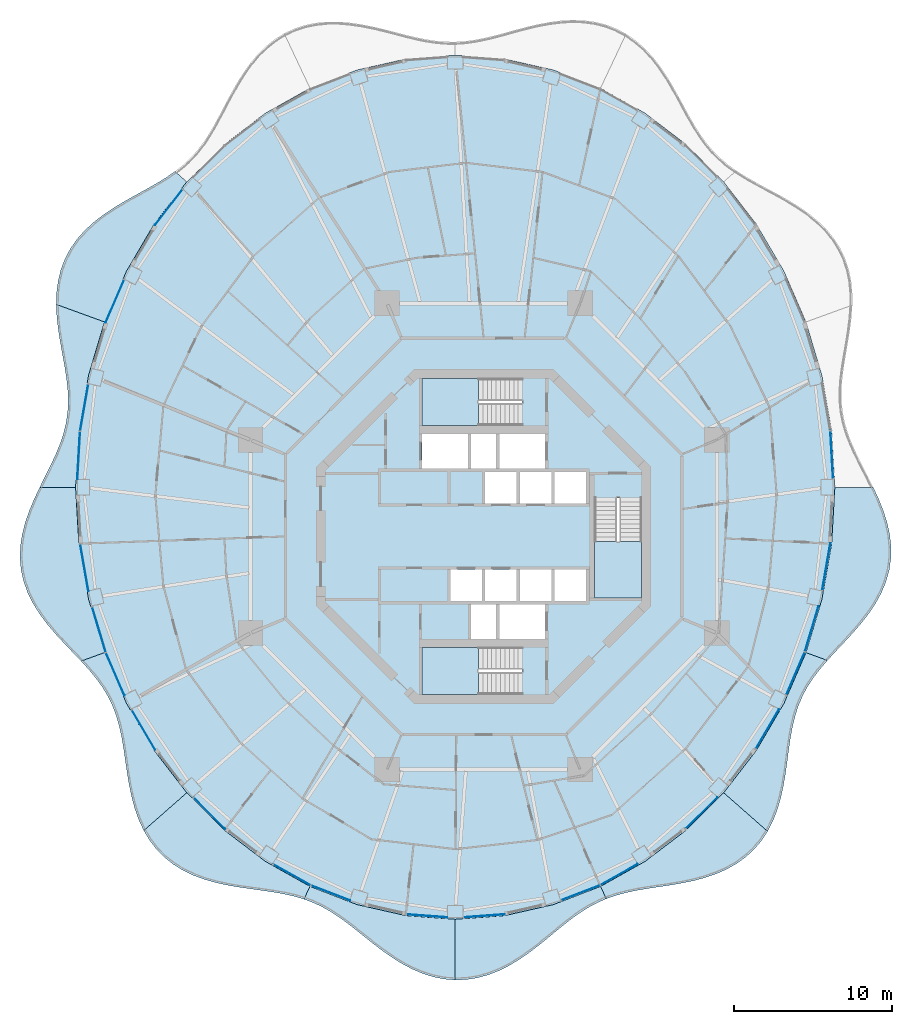
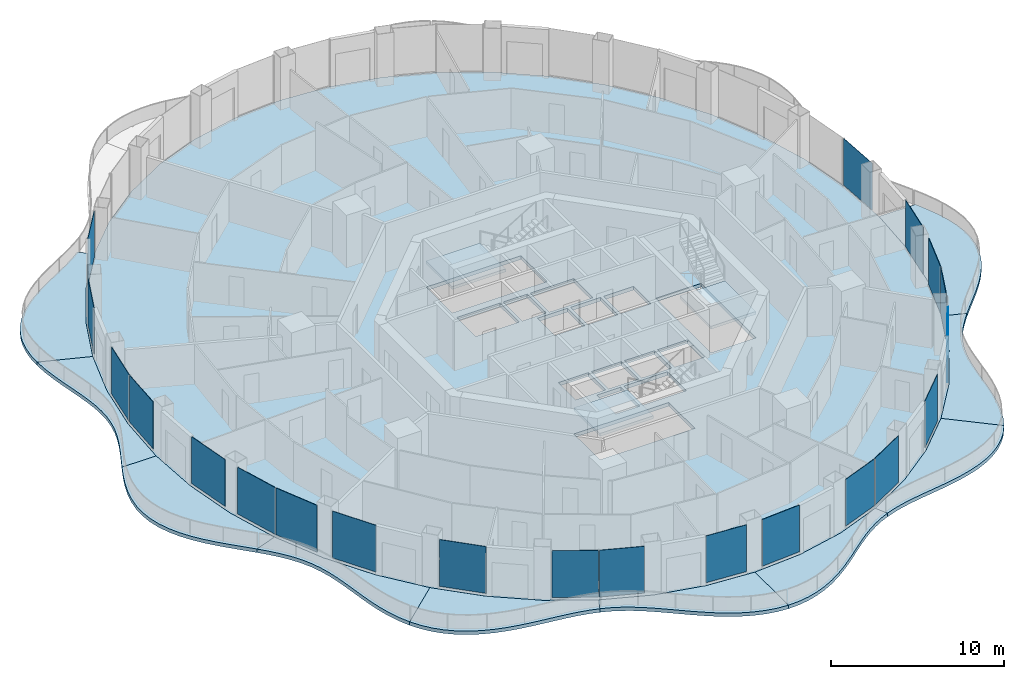
# One storey, part 8 of 18: 21 plates, 14 slabs, 24 elements without a shape of their own.
"""IFC4 building model written with IfcOpenShell, lengths in metres."""

from ifc_helpers import new_model, si_unit, direction, frame, origin, origin_2d, place, context, subcontext, project, spatial, polyline, rectangle, outline, extrude, material, layer, layer_set, type_object, element, aggregate, save


model = new_model("IFC4")

# Units and contexts
model_context = context("Model", 3, precision=1e-05, world=origin(), true_north=direction((0.0, 1.0)))
body_context = subcontext(model_context, "Body", "Model", "MODEL_VIEW")
ifc_project = project(units=[si_unit("LENGTHUNIT", "METRE"), si_unit("AREAUNIT", "SQUARE_METRE"), si_unit("VOLUMEUNIT", "CUBIC_METRE"), si_unit("PLANEANGLEUNIT", "RADIAN"), si_unit("MASSUNIT", "GRAM", prefix="KILO")], contexts=[model_context])

# Site, building, storey
site_placement = place(None, origin())
site = spatial("IfcSite", under=ifc_project, at=site_placement, CompositionType="ELEMENT")
building_placement = place(site_placement, origin())
building = spatial("IfcBuilding", under=site, at=building_placement, Name="Nagisa Residences", CompositionType="ELEMENT")
storey_placement = place(building_placement, frame((0.0, 0.0, 223.300048828125)))
storey = spatial("IfcBuildingStorey", under=building, at=storey_placement, Name="L56", CompositionType="ELEMENT", Elevation=223.300048828125)

# Slabs
ifc_material_1 = material(Name="Concrete C40/50", Category="concrete")
ifc_layer_1 = layer(ifc_material_1, 0.25)
ifc_layer_set_1 = layer_set([ifc_layer_1], Name="BALCONY SLAB 250")
slab_type_1 = type_object("IfcSlabType", Name="BALCONY SLAB 250", PredefinedType="FLOOR", material=ifc_layer_set_1)
slab_1_placement = place(storey_placement, frame((0.0, 0.0, -0.25)))
element("IfcSlab", 1, at=slab_1_placement, inside=storey, type_object=slab_type_1, Name="slab:L56:bal06", PredefinedType="FLOOR", context=body_context, shape_type="SweptSolid", body=[
    extrude(outline(polyline([(-19.5673828125, 23.14208984375), (-20.142333984375, 22.746337890625), (-20.7568359375, 22.37060546875), (-21.4033203125, 22.00439453125), (-22.07177734375, 21.63671875), (-22.749267578125, 21.256591796875), (-23.42138671875, 20.854248046875), (-24.072998046875, 20.420654296875), (-24.688720703125, 19.94921875), (-25.25390625, 19.434814453125), (-25.755859375, 18.87548828125), (-26.1845703125, 18.27099609375), (-26.5322265625, 17.623779296875), (-26.79541015625, 16.937744140625), (-26.973876953125, 16.218994140625), (-27.07177734375, 15.474853515625), (-27.096435546875, 14.712890625), (-24.037841796875, 13.599365234375), (-22.645263671875, 16.812744140625), (-20.89599609375, 19.791748046875), (-18.820068359375, 22.4853515625), (-19.5673828125, 23.14208984375)])), origin(), (0.0, 0.0, 1.0), 0.25),
])
slab_2_placement = place(storey_placement, frame((0.0, 0.0, -0.25)))
element("IfcSlab", 2, at=slab_2_placement, inside=storey, type_object=slab_type_1, Name="slab:L56:bal07", PredefinedType="FLOOR", context=body_context, shape_type="SweptSolid", body=[
    extrude(outline(polyline([(-27.096435546875, 14.712890625), (-27.056884765625, 13.916259765625), (-26.9658203125, 13.117919921875), (-26.8408203125, 12.3251953125), (-26.7001953125, 11.54443359375), (-26.562744140625, 10.779541015625), (-26.446533203125, 10.033935546875), (-26.367431640625, 9.3076171875), (-26.33837890625, 8.60009765625), (-26.369384765625, 7.907958984375), (-26.465087890625, 7.227783203125), (-26.626708984375, 6.55419921875), (-26.85009765625, 5.88232421875), (-27.126953125, 5.206787109375), (-27.4453125, 4.52294921875), (-27.789306640625, 3.827392578125), (-28.1416015625, 3.11767578125), (-25.8701171875, 3.11767578125), (-25.6640625, 6.69287109375), (-25.0498046875, 10.206787109375), (-24.037841796875, 13.599365234375), (-27.096435546875, 14.712890625)])), origin(), (0.0, 0.0, 1.0), 0.25),
])
slab_3_placement = place(storey_placement, frame((0.0, 0.0, -0.25)))
element("IfcSlab", 3, at=slab_3_placement, inside=storey, type_object=slab_type_1, Name="slab:L56:bal08", PredefinedType="FLOOR", context=body_context, shape_type="SweptSolid", body=[
    extrude(outline(polyline([(-28.1416015625, 3.11767578125), (-28.482666015625, 2.39306640625), (-28.79296875, 1.654541015625), (-29.054443359375, 0.904296875), (-29.250244140625, 0.146484375), (-29.36669921875, -0.6142578125), (-29.3935546875, -1.372314453125), (-29.3251953125, -2.121337890625), (-29.16015625, -2.855712890625), (-28.90185546875, -3.570556640625), (-28.557861328125, -4.26171875), (-28.139892578125, -4.926513671875), (-27.66259765625, -5.56494140625), (-27.143310546875, -6.177490234375), (-26.600341796875, -6.767822265625), (-26.052490234375, -7.3408203125), (-25.517822265625, -7.90283203125), (-24.037841796875, -7.364013671875), (-25.0498046875, -3.971435546875), (-25.6640625, -0.45751953125), (-25.8701171875, 3.11767578125), (-28.1416015625, 3.11767578125)])), origin(), (0.0, 0.0, 1.0), 0.25),
])
slab_4_placement = place(storey_placement, frame((0.0, 0.0, -0.25)))
element("IfcSlab", 4, at=slab_4_placement, inside=storey, type_object=slab_type_1, Name="slab:L56:bal09", PredefinedType="FLOOR", context=body_context, shape_type="SweptSolid", body=[
    extrude(outline(polyline([(-25.517822265625, -7.90283203125), (-25.027099609375, -8.44384765625), (-24.576171875, -8.9892578125), (-24.173583984375, -9.546142578125), (-23.825439453125, -10.12158203125), (-23.532958984375, -10.72119140625), (-23.29443359375, -11.349365234375), (-23.104248046875, -12.0087890625), (-22.953125, -12.699462890625), (-22.82958984375, -13.41943359375), (-22.72021484375, -14.163818359375), (-22.609619140625, -14.926025390625), (-22.483154296875, -15.69677734375), (-22.32568359375, -16.466064453125), (-22.124267578125, -17.22216796875), (-21.86767578125, -17.952880859375), (-21.547119140625, -18.646484375), (-18.820068359375, -16.25), (-20.89599609375, -13.556396484375), (-22.645263671875, -10.577392578125), (-24.037841796875, -7.364013671875), (-25.517822265625, -7.90283203125)])), origin(), (0.0, 0.0, 1.0), 0.25),
])
slab_5_placement = place(storey_placement, frame((0.0, 0.0, -0.25)))
element("IfcSlab", 5, at=slab_5_placement, inside=storey, type_object=slab_type_1, Name="slab:L56:bal10", PredefinedType="FLOOR", context=body_context, shape_type="SweptSolid", body=[
    extrude(outline(polyline([(-21.547119140625, -18.646484375), (-21.17724609375, -19.262939453125), (-20.74267578125, -19.82763671875), (-20.244140625, -20.33447265625), (-19.685546875, -20.779052734375), (-19.07275390625, -21.159912109375), (-18.41357421875, -21.477783203125), (-17.7177734375, -21.737060546875), (-16.99560546875, -21.943359375), (-16.25830078125, -22.10595703125), (-15.515869140625, -22.23486328125), (-14.778564453125, -22.34228515625), (-14.054443359375, -22.441162109375), (-13.350341796875, -22.5439453125), (-12.670654296875, -22.66357421875), (-12.017578125, -22.810546875), (-11.3916015625, -22.994384765625), (-11.01123046875, -22.187255859375), (-13.8349609375, -20.602783203125), (-16.452880859375, -18.6123046875), (-18.820068359375, -16.25), (-21.547119140625, -18.646484375)])), origin(), (0.0, 0.0, 1.0), 0.25),
])
slab_6_placement = place(storey_placement, frame((0.0, 0.0, -0.25)))
element("IfcSlab", 6, at=slab_6_placement, inside=storey, type_object=slab_type_1, Name="slab:L56:bal11", PredefinedType="FLOOR", context=body_context, shape_type="SweptSolid", body=[
    extrude(outline(polyline([(-11.3916015625, -22.994384765625), (-10.811767578125, -23.212646484375), (-10.251708984375, -23.47509765625), (-9.70654296875, -23.781982421875), (-9.17041015625, -24.131591796875), (-8.63720703125, -24.51904296875), (-8.1005859375, -24.9365234375), (-7.5546875, -25.374267578125), (-6.994140625, -25.8203125), (-6.4150390625, -26.26171875), (-5.814453125, -26.6845703125), (-5.19091796875, -27.07470703125), (-4.54541015625, -27.418701171875), (-3.879638671875, -27.70458984375), (-3.19677734375, -27.921630859375), (-2.501953125, -28.06201171875), (-1.800048828125, -28.120361328125), (-1.800048828125, -24.272216796875), (-4.941650390625, -24.0380859375), (-8.02978515625, -23.339111328125), (-11.01123046875, -22.187255859375), (-11.3916015625, -22.994384765625)])), origin(), (0.0, 0.0, 1.0), 0.25),
])
slab_7_placement = place(storey_placement, frame((0.0, 0.0, -0.25)))
element("IfcSlab", 7, at=slab_7_placement, inside=storey, type_object=slab_type_1, Name="slab:L56:bal12", PredefinedType="FLOOR", context=body_context, shape_type="SweptSolid", body=[
    extrude(outline(polyline([(-1.800048828125, -28.120361328125), (-1.09716796875, -28.09423828125), (-0.399658203125, -27.98486328125), (0.287353515625, -27.7958984375), (0.95849609375, -27.5341796875), (1.60986328125, -27.208740234375), (2.2392578125, -26.831298828125), (2.845458984375, -26.414794921875), (3.428955078125, -25.972900390625), (3.991943359375, -25.51953125), (4.538330078125, -25.068359375), (5.072998046875, -24.6318359375), (5.601318359375, -24.220947265625), (6.1298828125, -23.844482421875), (6.665283203125, -23.50830078125), (7.213134765625, -23.216064453125), (7.779296875, -22.96826171875), (7.4111328125, -22.187255859375), (4.4296875, -23.339111328125), (1.341796875, -24.0380859375), (-1.800048828125, -24.272216796875), (-1.800048828125, -28.120361328125)])), origin(), (0.0, 0.0, 1.0), 0.25),
])
slab_8_placement = place(storey_placement, frame((0.0, 0.0, -0.25)))
element("IfcSlab", 8, at=slab_8_placement, inside=storey, type_object=slab_type_1, Name="slab:L56:bal13", PredefinedType="FLOOR", context=body_context, shape_type="SweptSolid", body=[
    extrude(outline(polyline([(7.779296875, -22.96826171875), (8.389892578125, -22.755859375), (9.02734375, -22.58349609375), (9.6923828125, -22.443359375), (10.383544921875, -22.324951171875), (11.09716796875, -22.216552734375), (11.82763671875, -22.10595703125), (12.56689453125, -21.979736328125), (13.305908203125, -21.825927734375), (14.0341796875, -21.633056640625), (14.74072265625, -21.39208984375), (15.4150390625, -21.09521484375), (16.047119140625, -20.73779296875), (16.627685546875, -20.317626953125), (17.14990234375, -19.834716796875), (17.609130859375, -19.29248046875), (18.003173828125, -18.69580078125), (15.219970703125, -16.25), (12.852783203125, -18.6123046875), (10.235107421875, -20.602783203125), (7.4111328125, -22.187255859375), (7.779296875, -22.96826171875)])), origin(), (0.0, 0.0, 1.0), 0.25),
])
slab_9_placement = place(storey_placement, frame((0.0, 0.0, -0.25)))
element("IfcSlab", 9, at=slab_9_placement, inside=storey, type_object=slab_type_1, Name="slab:L56:bal14", PredefinedType="FLOOR", context=body_context, shape_type="SweptSolid", body=[
    extrude(outline(polyline([(18.003173828125, -18.69580078125), (18.34716796875, -18.019287109375), (18.6240234375, -17.301513671875), (18.84130859375, -16.553466796875), (19.0087890625, -15.787109375), (19.13916015625, -15.014404296875), (19.24658203125, -14.245849609375), (19.346435546875, -13.4912109375), (19.45361328125, -12.75830078125), (19.582763671875, -12.05224609375), (19.746337890625, -11.376708984375), (19.954833984375, -10.73193359375), (20.21533203125, -10.116943359375), (20.53173828125, -9.527587890625), (20.90380859375, -8.959228515625), (21.32763671875, -8.4052734375), (21.795654296875, -7.858154296875), (20.437744140625, -7.364013671875), (19.045166015625, -10.577392578125), (17.2958984375, -13.556396484375), (15.219970703125, -16.25), (18.003173828125, -18.69580078125)])), origin(), (0.0, 0.0, 1.0), 0.25),
])
slab_10_placement = place(storey_placement, frame((0.0, 0.0, -0.25)))
element("IfcSlab", 10, at=slab_10_placement, inside=storey, type_object=slab_type_1, Name="slab:L56:bal15", PredefinedType="FLOOR", context=body_context, shape_type="SweptSolid", body=[
    extrude(outline(polyline([(21.795654296875, -7.858154296875), (22.3134765625, -7.293701171875), (22.8515625, -6.72119140625), (23.393310546875, -6.134033203125), (23.91943359375, -5.52685546875), (24.41162109375, -4.8955078125), (24.8515625, -4.23828125), (25.223876953125, -3.55517578125), (25.514892578125, -2.847900390625), (25.71533203125, -2.119873046875), (25.81982421875, -1.375732421875), (25.827880859375, -0.620849609375), (25.743408203125, 0.138427734375), (25.57421875, 0.896728515625), (25.3330078125, 1.6484375), (25.03515625, 2.389892578125), (24.698486328125, 3.11767578125), (22.27001953125, 3.11767578125), (22.06396484375, -0.45751953125), (21.449951171875, -3.971435546875), (20.437744140625, -7.364013671875), (21.795654296875, -7.858154296875)])), origin(), (0.0, 0.0, 1.0), 0.25),
])

# Curtain wall, plate
ifc_material_2 = material(Name="Concrete-coloured aluminium curtain wall system", Category="concrete")
ifc_layer_2 = layer(ifc_material_2, 0.159912109375)
ifc_layer_set_2 = layer_set([ifc_layer_2], Name="CW1 CURTAIN WALL")
curtain_wall_type = type_object("IfcCurtainWallType", Name="CW1 CURTAIN WALL", PredefinedType="NOTDEFINED", material=ifc_layer_set_2)
curtain_wall_1_placement = place(storey_placement, origin())
curtain_wall_1 = element("IfcCurtainWall", 11, at=curtain_wall_1_placement, inside=storey, type_object=curtain_wall_type, Name="cw:CW1:L56:00", PredefinedType="NOTDEFINED")
ifc_material_3 = material(Name="Clear laminated glass", Category="glass")
ifc_layer_3 = layer(ifc_material_3, 0.028076171875)
ifc_layer_set_3 = layer_set([ifc_layer_3], Name="CW1 GLASS PANEL")
plate_type = type_object("IfcPlateType", Name="CW1 GLASS PANEL", PredefinedType="CURTAIN_PANEL", material=ifc_layer_set_3)
plate_1_placement = place(storey_placement, frame((22.071044921875, 5.18017578125, 0.14990234375), z_axis=(0.0, 0.0, 1.0), x_axis=(-0.057503492216, 0.998345305184, 0.0)))
plate_1 = element("IfcPlate", 12, at=plate_1_placement, type_object=plate_type, Name="CW1 panel", PredefinedType="CURTAIN_PANEL", context=body_context, shape_type="SweptSolid", body=[
    extrude(rectangle(XDim=3.02099609375, YDim=0.028076171875, at=origin_2d()), origin(), (0.0, 0.0, 1.0), 3.2900390625),
])
aggregate(curtain_wall_1, [plate_1])

curtain_wall_2_placement = place(storey_placement, origin())
curtain_wall_2 = element("IfcCurtainWall", 13, at=curtain_wall_2_placement, inside=storey, type_object=curtain_wall_type, Name="cw:CW1:L56:18", PredefinedType="NOTDEFINED")
plate_2_placement = place(storey_placement, frame((-19.965576171875, 20.867919921875, 0.14990234375), z_axis=(0.0, 0.0, 1.0), x_axis=(-0.610429828235, -0.792070340816, 0.0)))
plate_2 = element("IfcPlate", 14, at=plate_2_placement, type_object=plate_type, Name="CW1 panel", PredefinedType="CURTAIN_PANEL", context=body_context, shape_type="SweptSolid", body=[
    extrude(rectangle(XDim=2.8408203125, YDim=0.028076171875, at=origin_2d()), origin(), (0.0, 0.0, 1.0), 3.2900390625),
])
aggregate(curtain_wall_2, [plate_2])

curtain_wall_3_placement = place(storey_placement, origin())
curtain_wall_3 = element("IfcCurtainWall", 15, at=curtain_wall_3_placement, inside=storey, type_object=curtain_wall_type, Name="cw:CW1:L56:20", PredefinedType="NOTDEFINED")
plate_3_placement = place(storey_placement, frame((-23.37939453125, 14.917236328125, 0.14990234375), z_axis=(0.0, 0.0, 1.0), x_axis=(-0.397635934147, -0.917543276295, 0.0)))
plate_3 = element("IfcPlate", 16, at=plate_3_placement, type_object=plate_type, Name="CW1 panel", PredefinedType="CURTAIN_PANEL", context=body_context, shape_type="SweptSolid", body=[
    extrude(rectangle(XDim=2.942138671875, YDim=0.028076171875, at=origin_2d()), origin(), (0.0, 0.0, 1.0), 3.2900390625),
])
aggregate(curtain_wall_3, [plate_3])

curtain_wall_4_placement = place(storey_placement, origin())
curtain_wall_4 = element("IfcCurtainWall", 17, at=curtain_wall_4_placement, inside=storey, type_object=curtain_wall_type, Name="cw:CW1:L56:22", PredefinedType="NOTDEFINED")
plate_4_placement = place(storey_placement, frame((-25.326416015625, 8.16015625, 0.14990234375), z_axis=(0.0, 0.0, 1.0), x_axis=(-0.172190868898, -0.985063604377, 0.0)))
plate_4 = element("IfcPlate", 18, at=plate_4_placement, type_object=plate_type, Name="CW1 panel", PredefinedType="CURTAIN_PANEL", context=body_context, shape_type="SweptSolid", body=[
    extrude(rectangle(XDim=3.00732421875, YDim=0.028076171875, at=origin_2d()), origin(), (0.0, 0.0, 1.0), 3.2900390625),
])
aggregate(curtain_wall_4, [plate_4])

curtain_wall_5_placement = place(storey_placement, origin())
curtain_wall_5 = element("IfcCurtainWall", 19, at=curtain_wall_5_placement, inside=storey, type_object=curtain_wall_type, Name="cw:CW1:L56:23", PredefinedType="NOTDEFINED")
plate_5_placement = place(storey_placement, frame((-25.674560546875, 5.120361328125, 0.14990234375), z_axis=(0.0, 0.0, 1.0), x_axis=(-0.057503492216, -0.998345305184, 0.0)))
plate_5 = element("IfcPlate", 20, at=plate_5_placement, type_object=plate_type, Name="CW1 panel", PredefinedType="CURTAIN_PANEL", context=body_context, shape_type="SweptSolid", body=[
    extrude(rectangle(XDim=3.02099609375, YDim=0.028076171875, at=origin_2d()), origin(), (0.0, 0.0, 1.0), 3.2900390625),
])
aggregate(curtain_wall_5, [plate_5])

curtain_wall_6_placement = place(storey_placement, origin())
curtain_wall_6 = element("IfcCurtainWall", 21, at=curtain_wall_6_placement, inside=storey, type_object=curtain_wall_type, Name="cw:CW1:L56:25", PredefinedType="NOTDEFINED")
plate_6_placement = place(storey_placement, frame((-25.31591796875, -1.98388671875, 0.14990234375), z_axis=(0.0, 0.0, 1.0), x_axis=(0.172190868898, -0.985063604377, 0.0)))
plate_6 = element("IfcPlate", 22, at=plate_6_placement, type_object=plate_type, Name="CW1 panel", PredefinedType="CURTAIN_PANEL", context=body_context, shape_type="SweptSolid", body=[
    extrude(rectangle(XDim=3.00732421875, YDim=0.028076171875, at=origin_2d()), origin(), (0.0, 0.0, 1.0), 3.2900390625),
])
aggregate(curtain_wall_6, [plate_6])

curtain_wall_7_placement = place(storey_placement, origin())
curtain_wall_7 = element("IfcCurtainWall", 23, at=curtain_wall_7_placement, inside=storey, type_object=curtain_wall_type, Name="cw:CW1:L56:26", PredefinedType="NOTDEFINED")
plate_7_placement = place(storey_placement, frame((-24.38720703125, -5.9130859375, 0.14990234375), z_axis=(0.0, 0.0, 1.0), x_axis=(0.285860274038, -0.958271310082, 0.0)))
plate_7 = element("IfcPlate", 24, at=plate_7_placement, type_object=plate_type, Name="CW1 panel", PredefinedType="CURTAIN_PANEL", context=body_context, shape_type="SweptSolid", body=[
    extrude(rectangle(XDim=2.98046875, YDim=0.028076171875, at=origin_2d()), origin(), (0.0, 0.0, 1.0), 3.2900390625),
])
aggregate(curtain_wall_7, [plate_7])

curtain_wall_8_placement = place(storey_placement, origin())
curtain_wall_8 = element("IfcCurtainWall", 25, at=curtain_wall_8_placement, inside=storey, type_object=curtain_wall_type, Name="cw:CW1:L56:27", PredefinedType="NOTDEFINED")
plate_8_placement = place(storey_placement, frame((-23.35546875, -8.737060546875, 0.14990234375), z_axis=(0.0, 0.0, 1.0), x_axis=(0.397635934147, -0.917543276295, 0.0)))
plate_8 = element("IfcPlate", 26, at=plate_8_placement, type_object=plate_type, Name="CW1 panel", PredefinedType="CURTAIN_PANEL", context=body_context, shape_type="SweptSolid", body=[
    extrude(rectangle(XDim=2.942138671875, YDim=0.028076171875, at=origin_2d()), origin(), (0.0, 0.0, 1.0), 3.2900390625),
])
aggregate(curtain_wall_8, [plate_8])

curtain_wall_9_placement = place(storey_placement, origin())
curtain_wall_9 = element("IfcCurtainWall", 27, at=curtain_wall_9_placement, inside=storey, type_object=curtain_wall_type, Name="cw:CW1:L56:28", PredefinedType="NOTDEFINED")
plate_9_placement = place(storey_placement, frame((-21.559814453125, -12.267822265625, 0.14990234375), z_axis=(0.0, 0.0, 1.0), x_axis=(0.506348567002, -0.862328898214, 0.0)))
plate_9 = element("IfcPlate", 28, at=plate_9_placement, type_object=plate_type, Name="CW1 panel", PredefinedType="CURTAIN_PANEL", context=body_context, shape_type="SweptSolid", body=[
    extrude(rectangle(XDim=2.89453125, YDim=0.028076171875, at=origin_2d()), origin(), (0.0, 0.0, 1.0), 3.2900390625),
])
aggregate(curtain_wall_9, [plate_9])

curtain_wall_10_placement = place(storey_placement, origin())
curtain_wall_10 = element("IfcCurtainWall", 29, at=curtain_wall_10_placement, inside=storey, type_object=curtain_wall_type, Name="cw:CW1:L56:30", PredefinedType="NOTDEFINED")
plate_10_placement = place(storey_placement, frame((-17.3818359375, -17.572265625, 0.14990234375), z_axis=(0.0, 0.0, 1.0), x_axis=(0.707835924016, -0.706376885714, 0.0)))
plate_10 = element("IfcPlate", 30, at=plate_10_placement, type_object=plate_type, Name="CW1 panel", PredefinedType="CURTAIN_PANEL", context=body_context, shape_type="SweptSolid", body=[
    extrude(rectangle(XDim=2.7841796875, YDim=0.028076171875, at=origin_2d()), origin(), (0.0, 0.0, 1.0), 3.2900390625),
])
aggregate(curtain_wall_10, [plate_10])

curtain_wall_11_placement = place(storey_placement, origin())
curtain_wall_11 = element("IfcCurtainWall", 31, at=curtain_wall_11_placement, inside=storey, type_object=curtain_wall_type, Name="cw:CW1:L56:32", PredefinedType="NOTDEFINED")
plate_11_placement = place(storey_placement, frame((-12.1396484375, -21.46240234375, 0.14990234375), z_axis=(0.0, 0.0, 1.0), x_axis=(0.872072377523, -0.489376918501, 0.0)))
plate_11 = element("IfcPlate", 32, at=plate_11_placement, type_object=plate_type, Name="CW1 panel", PredefinedType="CURTAIN_PANEL", context=body_context, shape_type="SweptSolid", body=[
    extrude(rectangle(XDim=2.677978515625, YDim=0.028076171875, at=origin_2d()), origin(), (0.0, 0.0, 1.0), 3.2900390625),
])
aggregate(curtain_wall_11, [plate_11])

curtain_wall_12_placement = place(storey_placement, origin())
curtain_wall_12 = element("IfcCurtainWall", 33, at=curtain_wall_12_placement, inside=storey, type_object=curtain_wall_type, Name="cw:CW1:L56:33", PredefinedType="NOTDEFINED")
plate_12_placement = place(storey_placement, frame((-9.69677734375, -22.609375, 0.14990234375), z_axis=(0.0, 0.0, 1.0), x_axis=(0.932825759707, -0.360327770268, 0.0)))
plate_12 = element("IfcPlate", 34, at=plate_12_placement, type_object=plate_type, Name="CW1 panel", PredefinedType="CURTAIN_PANEL", context=body_context, shape_type="SweptSolid", body=[
    extrude(rectangle(XDim=2.63623046875, YDim=0.028076171875, at=origin_2d()), origin(), (0.0, 0.0, 1.0), 3.2900390625),
])
aggregate(curtain_wall_12, [plate_12])

curtain_wall_13_placement = place(storey_placement, origin())
curtain_wall_13 = element("IfcCurtainWall", 35, at=curtain_wall_13_placement, inside=storey, type_object=curtain_wall_type, Name="cw:CW1:L56:35", PredefinedType="NOTDEFINED")
plate_13_placement = place(storey_placement, frame((-3.584228515625, -24.05908203125, 0.14990234375), z_axis=(0.0, 0.0, 1.0), x_axis=(0.997230168512, -0.074377355493, 0.0)))
plate_13 = element("IfcPlate", 36, at=plate_13_placement, type_object=plate_type, Name="CW1 panel", PredefinedType="CURTAIN_PANEL", context=body_context, shape_type="SweptSolid", body=[
    extrude(rectangle(XDim=2.590576171875, YDim=0.028076171875, at=origin_2d()), origin(), (0.0, 0.0, 1.0), 3.2900390625),
])
aggregate(curtain_wall_13, [plate_13])

curtain_wall_14_placement = place(storey_placement, origin())
curtain_wall_14 = element("IfcCurtainWall", 37, at=curtain_wall_14_placement, inside=storey, type_object=curtain_wall_type, Name="cw:CW1:L56:36", PredefinedType="NOTDEFINED")
plate_14_placement = place(storey_placement, frame((0.044189453125, -24.054443359375, 0.14990234375), z_axis=(0.0, 0.0, 1.0), x_axis=(0.997230168512, 0.074377355493, 0.0)))
plate_14 = element("IfcPlate", 38, at=plate_14_placement, type_object=plate_type, Name="CW1 panel", PredefinedType="CURTAIN_PANEL", context=body_context, shape_type="SweptSolid", body=[
    extrude(rectangle(XDim=2.590576171875, YDim=0.028076171875, at=origin_2d()), origin(), (0.0, 0.0, 1.0), 3.2900390625),
])
aggregate(curtain_wall_14, [plate_14])

curtain_wall_15_placement = place(storey_placement, origin())
curtain_wall_15 = element("IfcCurtainWall", 39, at=curtain_wall_15_placement, inside=storey, type_object=curtain_wall_type, Name="cw:CW1:L56:38", PredefinedType="NOTDEFINED")
plate_15_placement = place(storey_placement, frame((6.15283203125, -22.587646484375, 0.14990234375), z_axis=(0.0, 0.0, 1.0), x_axis=(0.932825759707, 0.360327770268, 0.0)))
plate_15 = element("IfcPlate", 40, at=plate_15_placement, type_object=plate_type, Name="CW1 panel", PredefinedType="CURTAIN_PANEL", context=body_context, shape_type="SweptSolid", body=[
    extrude(rectangle(XDim=2.63623046875, YDim=0.028076171875, at=origin_2d()), origin(), (0.0, 0.0, 1.0), 3.2900390625),
])
aggregate(curtain_wall_15, [plate_15])

curtain_wall_16_placement = place(storey_placement, origin())
curtain_wall_16 = element("IfcCurtainWall", 41, at=curtain_wall_16_placement, inside=storey, type_object=curtain_wall_type, Name="cw:CW1:L56:39", PredefinedType="NOTDEFINED")
plate_16_placement = place(storey_placement, frame((8.592041015625, -21.432861328125, 0.14990234375), z_axis=(0.0, 0.0, 1.0), x_axis=(0.872072377523, 0.489376918501, 0.0)))
plate_16 = element("IfcPlate", 42, at=plate_16_placement, type_object=plate_type, Name="CW1 panel", PredefinedType="CURTAIN_PANEL", context=body_context, shape_type="SweptSolid", body=[
    extrude(rectangle(XDim=2.677978515625, YDim=0.028076171875, at=origin_2d()), origin(), (0.0, 0.0, 1.0), 3.2900390625),
])
aggregate(curtain_wall_16, [plate_16])

curtain_wall_17_placement = place(storey_placement, origin())
curtain_wall_17 = element("IfcCurtainWall", 43, at=curtain_wall_17_placement, inside=storey, type_object=curtain_wall_type, Name="cw:CW1:L56:41", PredefinedType="NOTDEFINED")
plate_17_placement = place(storey_placement, frame((13.82421875, -17.52978515625, 0.14990234375), z_axis=(0.0, 0.0, 1.0), x_axis=(0.707835924016, 0.706376885714, 0.0)))
plate_17 = element("IfcPlate", 44, at=plate_17_placement, type_object=plate_type, Name="CW1 panel", PredefinedType="CURTAIN_PANEL", context=body_context, shape_type="SweptSolid", body=[
    extrude(rectangle(XDim=2.7841796875, YDim=0.028076171875, at=origin_2d()), origin(), (0.0, 0.0, 1.0), 3.2900390625),
])
aggregate(curtain_wall_17, [plate_17])

curtain_wall_18_placement = place(storey_placement, origin())
curtain_wall_18 = element("IfcCurtainWall", 45, at=curtain_wall_18_placement, inside=storey, type_object=curtain_wall_type, Name="cw:CW1:L56:43", PredefinedType="NOTDEFINED")
plate_18_placement = place(storey_placement, frame((17.990234375, -12.216064453125, 0.14990234375), z_axis=(0.0, 0.0, 1.0), x_axis=(0.506348567002, 0.862328898214, 0.0)))
plate_18 = element("IfcPlate", 46, at=plate_18_placement, type_object=plate_type, Name="CW1 panel", PredefinedType="CURTAIN_PANEL", context=body_context, shape_type="SweptSolid", body=[
    extrude(rectangle(XDim=2.89453125, YDim=0.028076171875, at=origin_2d()), origin(), (0.0, 0.0, 1.0), 3.2900390625),
])
aggregate(curtain_wall_18, [plate_18])

curtain_wall_19_placement = place(storey_placement, origin())
curtain_wall_19 = element("IfcCurtainWall", 47, at=curtain_wall_19_placement, inside=storey, type_object=curtain_wall_type, Name="cw:CW1:L56:44", PredefinedType="NOTDEFINED")
plate_19_placement = place(storey_placement, frame((19.779541015625, -8.681884765625, 0.14990234375), z_axis=(0.0, 0.0, 1.0), x_axis=(0.397635934147, 0.917543276295, 0.0)))
plate_19 = element("IfcPlate", 48, at=plate_19_placement, type_object=plate_type, Name="CW1 panel", PredefinedType="CURTAIN_PANEL", context=body_context, shape_type="SweptSolid", body=[
    extrude(rectangle(XDim=2.942138671875, YDim=0.028076171875, at=origin_2d()), origin(), (0.0, 0.0, 1.0), 3.2900390625),
])
aggregate(curtain_wall_19, [plate_19])

curtain_wall_20_placement = place(storey_placement, origin())
curtain_wall_20 = element("IfcCurtainWall", 49, at=curtain_wall_20_placement, inside=storey, type_object=curtain_wall_type, Name="cw:CW1:L56:45", PredefinedType="NOTDEFINED")
plate_20_placement = place(storey_placement, frame((20.80419921875, -5.855712890625, 0.14990234375), z_axis=(0.0, 0.0, 1.0), x_axis=(0.285860274038, 0.958271310082, 0.0)))
plate_20 = element("IfcPlate", 50, at=plate_20_placement, type_object=plate_type, Name="CW1 panel", PredefinedType="CURTAIN_PANEL", context=body_context, shape_type="SweptSolid", body=[
    extrude(rectangle(XDim=2.98046875, YDim=0.028076171875, at=origin_2d()), origin(), (0.0, 0.0, 1.0), 3.2900390625),
])
aggregate(curtain_wall_20, [plate_20])

curtain_wall_21_placement = place(storey_placement, origin())
curtain_wall_21 = element("IfcCurtainWall", 51, at=curtain_wall_21_placement, inside=storey, type_object=curtain_wall_type, Name="cw:CW1:L56:46", PredefinedType="NOTDEFINED")
plate_21_placement = place(storey_placement, frame((21.726318359375, -1.9248046875, 0.14990234375), z_axis=(0.0, 0.0, 1.0), x_axis=(0.172190868898, 0.985063604377, 0.0)))
plate_21 = element("IfcPlate", 52, at=plate_21_placement, type_object=plate_type, Name="CW1 panel", PredefinedType="CURTAIN_PANEL", context=body_context, shape_type="SweptSolid", body=[
    extrude(rectangle(XDim=3.00732421875, YDim=0.028076171875, at=origin_2d()), origin(), (0.0, 0.0, 1.0), 3.2900390625),
])
aggregate(curtain_wall_21, [plate_21])

# Slab
ifc_material_4 = material(Name="Concrete C40", Category="concrete")
ifc_layer_4 = layer(ifc_material_4, 0.260009765625)
ifc_layer_set_4 = layer_set([ifc_layer_4], Name="Floor slab 260")
slab_type_2 = type_object("IfcSlabType", Name="Floor slab 260", PredefinedType="FLOOR", material=ifc_layer_set_4)
slab_11_placement = place(storey_placement, frame((0.0, 0.0, -0.260009765625)))
element("IfcSlab", 53, at=slab_11_placement, inside=storey, type_object=slab_type_2, Name="slab:L56:floor", PredefinedType="FLOOR", context=body_context, shape_type="SweptSolid", body=[
    extrude(outline(polyline([(22.27001953125, 3.11767578125), (22.06396484375, 6.69287109375), (21.449951171875, 10.206787109375), (20.437744140625, 13.599365234375), (19.045166015625, 16.812744140625), (17.2958984375, 19.791748046875), (15.219970703125, 22.4853515625), (12.852783203125, 24.84765625), (10.235107421875, 26.838134765625), (7.4111328125, 28.4228515625), (4.4296875, 29.574462890625), (1.341796875, 30.2734375), (-1.800048828125, 30.5078125), (-4.941650390625, 30.2734375), (-8.02978515625, 29.574462890625), (-11.01123046875, 28.4228515625), (-13.8349609375, 26.838134765625), (-16.452880859375, 24.84765625), (-18.820068359375, 22.4853515625), (-20.89599609375, 19.791748046875), (-22.645263671875, 16.812744140625), (-24.037841796875, 13.599365234375), (-25.0498046875, 10.206787109375), (-25.6640625, 6.69287109375), (-25.8701171875, 3.11767578125), (-25.6640625, -0.45751953125), (-25.0498046875, -3.971435546875), (-24.037841796875, -7.364013671875), (-22.645263671875, -10.577392578125), (-20.89599609375, -13.556396484375), (-18.820068359375, -16.25), (-16.452880859375, -18.6123046875), (-13.8349609375, -20.602783203125), (-11.01123046875, -22.187255859375), (-8.02978515625, -23.339111328125), (-4.941650390625, -24.0380859375), (-1.800048828125, -24.272216796875), (1.341796875, -24.0380859375), (4.4296875, -23.339111328125), (7.4111328125, -22.187255859375), (10.235107421875, -20.602783203125), (12.852783203125, -18.6123046875), (15.219970703125, -16.25), (17.2958984375, -13.556396484375), (19.045166015625, -10.577392578125), (20.437744140625, -7.364013671875), (21.449951171875, -3.971435546875), (22.06396484375, -0.45751953125), (22.27001953125, 3.11767578125)]), holes=[polyline([(2.10009765625, 2.10009765625), (2.10009765625, 4.10009765625), (0.10009765625, 4.10009765625), (0.10009765625, 2.10009765625), (2.10009765625, 2.10009765625)]), polyline([(4.300048828125, 2.10009765625), (4.300048828125, 4.10009765625), (2.300048828125, 4.10009765625), (2.300048828125, 2.10009765625), (4.300048828125, 2.10009765625)]), polyline([(6.5, 2.10009765625), (6.5, 4.10009765625), (4.5, 4.10009765625), (4.5, 2.10009765625), (6.5, 2.10009765625)]), polyline([(-0.10009765625, -4.10009765625), (-0.10009765625, -2.10009765625), (-2.10009765625, -2.10009765625), (-2.10009765625, -4.10009765625), (-0.10009765625, -4.10009765625)]), polyline([(2.10009765625, -4.10009765625), (2.10009765625, -2.10009765625), (0.10009765625, -2.10009765625), (0.10009765625, -4.10009765625), (2.10009765625, -4.10009765625)]), polyline([(4.300048828125, -4.10009765625), (4.300048828125, -2.10009765625), (2.300048828125, -2.10009765625), (2.300048828125, -4.10009765625), (4.300048828125, -4.10009765625)]), polyline([(6.5, -4.10009765625), (6.5, -2.10009765625), (4.5, -2.10009765625), (4.5, -4.10009765625), (6.5, -4.10009765625)]), polyline([(3.89990234375, 4.300048828125), (3.89990234375, 6.5), (1.0, 6.5), (1.0, 4.300048828125), (3.89990234375, 4.300048828125)]), polyline([(3.89990234375, -6.5), (3.89990234375, -4.300048828125), (1.0, -4.300048828125), (1.0, -6.5), (3.89990234375, -6.5)]), polyline([(-1.0, 4.300048828125), (-1.0, 6.5), (-3.89990234375, 6.5), (-3.89990234375, 4.300048828125), (-1.0, 4.300048828125)]), polyline([(0.800048828125, 4.300048828125), (0.800048828125, 6.5), (-0.800048828125, 6.5), (-0.800048828125, 4.300048828125), (0.800048828125, 4.300048828125)]), polyline([(0.800048828125, -6.5), (0.800048828125, -4.300048828125), (-0.800048828125, -4.300048828125), (-0.800048828125, -6.5), (0.800048828125, -6.5)]), polyline([(10.024658203125, -3.89990234375), (7.024658203125, -3.89990234375), (7.024658203125, 2.425048828125), (10.024658203125, 2.425048828125), (10.024658203125, -3.89990234375)]), polyline([(-3.89990234375, 7.024658203125), (-3.89990234375, 10.024658203125), (2.425048828125, 10.024658203125), (2.425048828125, 7.024658203125), (-3.89990234375, 7.024658203125)]), polyline([(-3.89990234375, -10.024658203125), (-3.89990234375, -7.024658203125), (2.425048828125, -7.024658203125), (2.425048828125, -10.024658203125), (-3.89990234375, -10.024658203125)])]), origin(), (0.0, 0.0, 1.0), 0.260009765625),
])

# Stair, slab
ifc_material_5 = material(Name="Concrete C60", Category="concrete")
stair_type = type_object("IfcStairType", Name="Exit stair", PredefinedType="HALF_TURN_STAIR", material=ifc_material_5)
stair_1_placement = place(storey_placement, origin())
stair_1 = element("IfcStair", 54, at=stair_1_placement, inside=storey, type_object=stair_type, Name="L56 Exit stair E", PredefinedType="HALF_TURN_STAIR")
ifc_material_6 = material(Name="Concrete C60", Category="concrete")
ifc_layer_5 = layer(ifc_material_6, 0.199951171875)
ifc_layer_set_5 = layer_set([ifc_layer_5], Name="Stair landing")
slab_type_3 = type_object("IfcSlabType", Name="Stair landing", PredefinedType="LANDING", material=ifc_layer_set_5)
slab_12_placement = place(storey_placement, frame((0.0, 0.0, 1.64990234375)))
slab_12 = element("IfcSlab", 55, at=slab_12_placement, type_object=slab_type_3, Name="ST-E landing 1", PredefinedType="LANDING", context=body_context, shape_type="SweptSolid", body=[
    extrude(outline(polyline([(7.024658203125, -0.324951171875), (7.024658203125, -3.89990234375), (10.024658203125, -3.89990234375), (10.024658203125, -0.324951171875), (7.024658203125, -0.324951171875)])), origin(), (0.0, 0.0, 1.0), 0.199951171875),
])
aggregate(stair_1, [slab_12])

stair_2_placement = place(storey_placement, origin())
stair_2 = element("IfcStair", 56, at=stair_2_placement, inside=storey, type_object=stair_type, Name="L56 Exit stair N", PredefinedType="HALF_TURN_STAIR")
slab_13_placement = place(storey_placement, frame((0.0, 0.0, 1.64990234375)))
slab_13 = element("IfcSlab", 57, at=slab_13_placement, type_object=slab_type_3, Name="ST-N landing 1", PredefinedType="LANDING", context=body_context, shape_type="SweptSolid", body=[
    extrude(outline(polyline([(-0.324951171875, 10.024658203125), (-3.89990234375, 10.024658203125), (-3.89990234375, 7.024658203125), (-0.324951171875, 7.024658203125), (-0.324951171875, 10.024658203125)])), origin(), (0.0, 0.0, 1.0), 0.199951171875),
])
aggregate(stair_2, [slab_13])

stair_3_placement = place(storey_placement, origin())
stair_3 = element("IfcStair", 58, at=stair_3_placement, inside=storey, type_object=stair_type, Name="L56 Exit stair S", PredefinedType="HALF_TURN_STAIR")
slab_14_placement = place(storey_placement, frame((0.0, 0.0, 1.64990234375)))
slab_14 = element("IfcSlab", 59, at=slab_14_placement, type_object=slab_type_3, Name="ST-S landing 1", PredefinedType="LANDING", context=body_context, shape_type="SweptSolid", body=[
    extrude(outline(polyline([(-0.324951171875, -7.024658203125), (-3.89990234375, -7.024658203125), (-3.89990234375, -10.024658203125), (-0.324951171875, -10.024658203125), (-0.324951171875, -7.024658203125)])), origin(), (0.0, 0.0, 1.0), 0.199951171875),
])
aggregate(stair_3, [slab_14])

save(model, "model.ifc")
